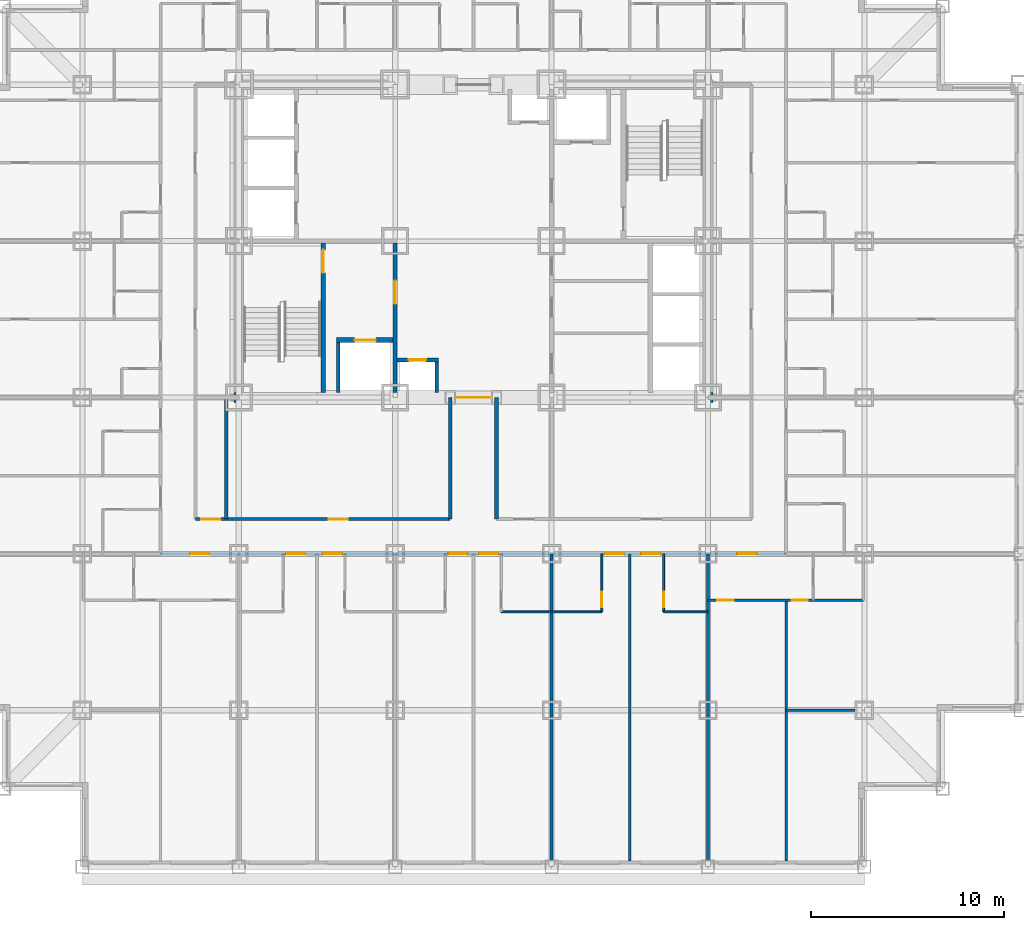
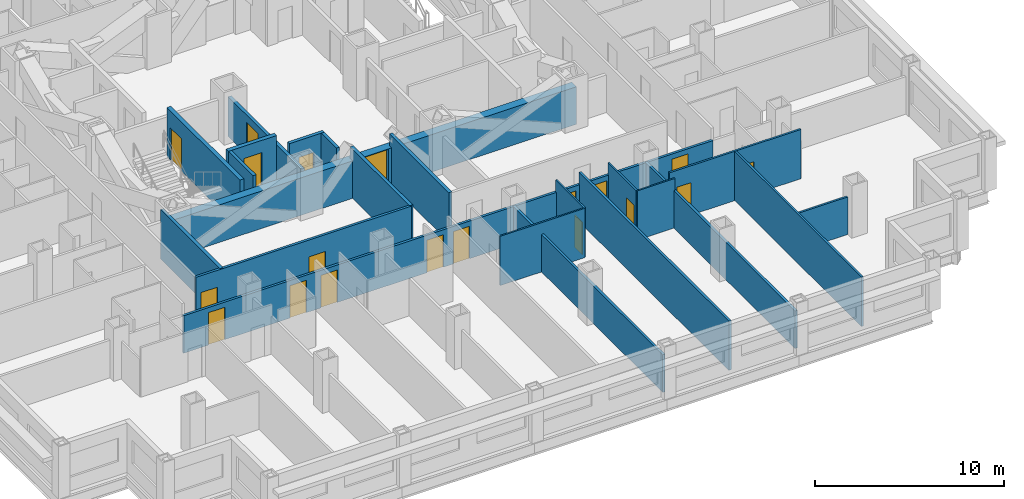
# One storey, part 5 of 11: 22 walls, 19 doors, 19 openings.
"""IFC4 building model written with IfcOpenShell, lengths in metres."""

from ifc_helpers import new_model, si_unit, direction, frame, frame_2d, origin, place, context, subcontext, project, spatial, rectangle, extrude, material, layer, layer_set, type_object, element, fill, save


model = new_model("IFC4")

# Units and contexts
model_context = context("Model", 3, precision=1e-05, world=origin(), true_north=direction((0.0, 1.0)))
body_context = subcontext(model_context, "Body", "Model", "MODEL_VIEW")
ifc_project = project(units=[si_unit("LENGTHUNIT", "METRE"), si_unit("AREAUNIT", "SQUARE_METRE"), si_unit("VOLUMEUNIT", "CUBIC_METRE"), si_unit("PLANEANGLEUNIT", "RADIAN"), si_unit("MASSUNIT", "GRAM", prefix="KILO")], contexts=[model_context])

# Site, building, storey
site_placement = place(None, origin())
site = spatial("IfcSite", under=ifc_project, at=site_placement, CompositionType="ELEMENT")
building_placement = place(site_placement, origin())
building = spatial("IfcBuilding", under=site, at=building_placement, Name="Kopane Lantern Tower", CompositionType="ELEMENT")
storey_placement = place(building_placement, frame((0.0, 0.0, 84.0)))
storey = spatial("IfcBuildingStorey", under=building, at=storey_placement, Name="L21", CompositionType="ELEMENT", Elevation=84.0)

# Wall, openings, doors
ifc_material_1 = material(Name="Gypsum board on steel studs", Category="steel")
ifc_layer_1 = layer(ifc_material_1, 0.1201171875)
ifc_layer_set_1 = layer_set([ifc_layer_1], Name="APARTMENT INTERNAL WALL 120")
wall_type_1 = type_object("IfcWallType", Name="APARTMENT INTERNAL WALL 120", PredefinedType="PARTITIONING", material=ifc_layer_set_1)
wall_1_placement = place(storey_placement, frame((40.5, 13.800048828125, 0.0), z_axis=(0.0, 0.0, 1.0), x_axis=(1.0, 0.0, 0.0)))
wall_1 = element("IfcWall", 1, at=wall_1_placement, inside=storey, type_object=wall_type_1, Name="Apartment Internal Wall 120 L21", PredefinedType="PARTITIONING", context=body_context, shape_type="SweptSolid", body=[
    extrude(rectangle(XDim=8.050048828125, YDim=0.1201171875, at=frame_2d((4.02490234375, 0.0))), origin(), (0.0, 0.0, 1.0), 3.18994140625),
])
opening_1_placement = place(wall_1_placement, frame((0.47509765625, 0.0, 0.0)))
opening_1 = element("IfcOpeningElement", 2, at=opening_1_placement, cuts=wall_1, Name="Opening L21-062", PredefinedType="OPENING", context=body_context, shape_type="SweptSolid", body=[
    extrude(rectangle(XDim=0.85009765625, YDim=2.10009765625, at=frame_2d((0.425048828125, 1.050048828125))), frame((0.0, 0.070068359375, 0.0), z_axis=(0.0, -1.0, 0.0), x_axis=(1.0, 0.0, 0.0)), (0.0, 0.0, 1.0), 0.14013671875),
])
opening_2_placement = place(wall_1_placement, frame((4.324951171875, 0.0, 0.0)))
opening_2 = element("IfcOpeningElement", 3, at=opening_2_placement, cuts=wall_1, Name="Opening L21-064", PredefinedType="OPENING", context=body_context, shape_type="SweptSolid", body=[
    extrude(rectangle(XDim=0.85009765625, YDim=2.10009765625, at=frame_2d((0.425048828125, 1.050048828125))), frame((0.0, 0.070068359375, 0.0), z_axis=(0.0, -1.0, 0.0), x_axis=(1.0, 0.0, 0.0)), (0.0, 0.0, 1.0), 0.14013671875),
])
ifc_material_2 = material(Name="Timber door set", Category="wood")
door_type_1 = type_object("IfcDoorType", Name="DOOR D4 850x2100", OperationType="SINGLE_SWING_LEFT", PredefinedType="DOOR", material=ifc_material_2)
door_1_placement = place(opening_1_placement, origin())
door_1 = element("IfcDoor", 4, at=door_1_placement, inside=storey, type_object=door_type_1, Name="Door L21-062", OperationType="SINGLE_SWING_LEFT", OverallHeight=2.10009765625, OverallWidth=0.85009765625, PredefinedType="DOOR", context=body_context, shape_type="SweptSolid", body=[
    extrude(rectangle(XDim=0.85009765625, YDim=2.10009765625, at=frame_2d((0.425048828125, 1.050048828125))), frame((0.0, 0.02490234375, 0.0), z_axis=(0.0, -1.0, 0.0), x_axis=(1.0, 0.0, 0.0)), (0.0, 0.0, 1.0), 0.050048828125),
])
fill(opening_1, door_1)
door_2_placement = place(opening_2_placement, origin())
door_2 = element("IfcDoor", 5, at=door_2_placement, inside=storey, type_object=door_type_1, Name="Door L21-064", OperationType="SINGLE_SWING_RIGHT", OverallHeight=2.10009765625, OverallWidth=0.85009765625, PredefinedType="DOOR", context=body_context, shape_type="SweptSolid", body=[
    extrude(rectangle(XDim=0.85009765625, YDim=2.10009765625, at=frame_2d((0.425048828125, 1.050048828125))), frame((0.0, 0.02490234375, 0.0), z_axis=(0.0, -1.0, 0.0), x_axis=(1.0, 0.0, 0.0)), (0.0, 0.0, 1.0), 0.050048828125),
])
fill(opening_2, door_2)

# Walls
wall_2_placement = place(storey_placement, frame((44.550048828125, 13.800048828125, 0.0), z_axis=(0.0, 0.0, 1.0), x_axis=(0.0, -1.0, 0.0)))
element("IfcWall", 6, at=wall_2_placement, inside=storey, type_object=wall_type_1, Name="Apartment Internal Wall 120 L21", PredefinedType="PARTITIONING", context=body_context, shape_type="SweptSolid", body=[
    extrude(rectangle(XDim=13.5, YDim=0.1201171875, at=frame_2d((6.75, 0.0))), origin(), (0.0, 0.0, 1.0), 3.18994140625),
])
wall_3_placement = place(storey_placement, frame((44.550048828125, 8.10009765625, 0.0), z_axis=(0.0, 0.0, 1.0), x_axis=(1.0, 0.0, 0.0)))
element("IfcWall", 7, at=wall_3_placement, inside=storey, type_object=wall_type_1, Name="Apartment Internal Wall 120 L21", PredefinedType="PARTITIONING", context=body_context, shape_type="SweptSolid", body=[
    extrude(rectangle(XDim=3.574951171875, YDim=0.1201171875, at=frame_2d((1.78759765625, 0.0))), origin(), (0.0, 0.0, 1.0), 2.427734375),
])
ifc_material_3 = material(Name="Moisture-resistant board on steel studs", Category="steel")
ifc_layer_2 = layer(ifc_material_3, 0.10009765625)
ifc_layer_set_2 = layer_set([ifc_layer_2], Name="BATHROOM WALL 100")
wall_type_2 = type_object("IfcWallType", Name="BATHROOM WALL 100", PredefinedType="PARTITIONING", material=ifc_layer_set_2)
wall_4_placement = place(storey_placement, frame((29.800048828125, 13.199951171875, 0.0), z_axis=(0.0, 0.0, 1.0), x_axis=(1.0, 0.0, 0.0)))
element("IfcWall", 8, at=wall_4_placement, inside=storey, type_object=wall_type_2, Name="Bathroom Wall 100 L21", PredefinedType="PARTITIONING", context=body_context, shape_type="SweptSolid", body=[
    extrude(rectangle(XDim=5.199951171875, YDim=0.10009765625, at=frame_2d((2.60009765625, 0.0))), origin(), (0.0, 0.0, 1.0), 3.18994140625),
])

# Wall, opening, door
wall_5_placement = place(storey_placement, frame((35.0, 16.199951171875, 0.0), z_axis=(0.0, 0.0, 1.0), x_axis=(0.0, -1.0, 0.0)))
wall_5 = element("IfcWall", 9, at=wall_5_placement, inside=storey, type_object=wall_type_2, Name="Bathroom Wall 100 L21", PredefinedType="PARTITIONING", context=body_context, shape_type="SweptSolid", body=[
    extrude(rectangle(XDim=3.0, YDim=0.10009765625, at=frame_2d((1.5, 0.0))), origin(), (0.0, 0.0, 1.0), 3.18994140625),
])
opening_3_placement = place(wall_5_placement, frame((1.949951171875, 0.0, 0.0)))
opening_3 = element("IfcOpeningElement", 10, at=opening_3_placement, cuts=wall_5, Name="Opening L21-017", PredefinedType="OPENING", context=body_context, shape_type="SweptSolid", body=[
    extrude(rectangle(XDim=0.800048828125, YDim=2.10009765625, at=frame_2d((0.39990234375, 1.050048828125))), frame((0.0, 0.06005859375, 0.0), z_axis=(0.0, -1.0, 0.0), x_axis=(1.0, 0.0, 0.0)), (0.0, 0.0, 1.0), 0.1201171875),
])
ifc_material_4 = material(Name="Timber door set", Category="wood")
door_type_2 = type_object("IfcDoorType", Name="DOOR D2 800x2100", OperationType="SINGLE_SWING_LEFT", PredefinedType="DOOR", material=ifc_material_4)
door_3_placement = place(opening_3_placement, origin())
door_3 = element("IfcDoor", 11, at=door_3_placement, inside=storey, type_object=door_type_2, Name="Door L21-017", OperationType="SINGLE_SWING_LEFT", OverallHeight=2.10009765625, OverallWidth=0.800048828125, PredefinedType="DOOR", context=body_context, shape_type="SweptSolid", body=[
    extrude(rectangle(XDim=0.800048828125, YDim=2.10009765625, at=frame_2d((0.39990234375, 1.050048828125))), frame((0.0, 0.02490234375, 0.0), z_axis=(0.0, -1.0, 0.0), x_axis=(1.0, 0.0, 0.0)), (0.0, 0.0, 1.0), 0.050048828125),
])
fill(opening_3, door_3)

# Wall
wall_6_placement = place(storey_placement, frame((38.199951171875, 13.199951171875, 0.0), z_axis=(0.0, 0.0, 1.0), x_axis=(1.0, 0.0, 0.0)))
element("IfcWall", 12, at=wall_6_placement, inside=storey, type_object=wall_type_2, Name="Bathroom Wall 100 L21", PredefinedType="PARTITIONING", context=body_context, shape_type="SweptSolid", body=[
    extrude(rectangle(XDim=2.300048828125, YDim=0.10009765625, at=frame_2d((1.14990234375, 0.0))), origin(), (0.0, 0.0, 1.0), 3.18994140625),
])

# Wall, opening, door
wall_7_placement = place(storey_placement, frame((38.199951171875, 16.199951171875, 0.0), z_axis=(0.0, 0.0, 1.0), x_axis=(0.0, -1.0, 0.0)))
wall_7 = element("IfcWall", 13, at=wall_7_placement, inside=storey, type_object=wall_type_2, Name="Bathroom Wall 100 L21", PredefinedType="PARTITIONING", context=body_context, shape_type="SweptSolid", body=[
    extrude(rectangle(XDim=3.0, YDim=0.10009765625, at=frame_2d((1.5, 0.0))), origin(), (0.0, 0.0, 1.0), 3.18994140625),
])
opening_4_placement = place(wall_7_placement, frame((1.949951171875, 0.0, 0.0)))
opening_4 = element("IfcOpeningElement", 14, at=opening_4_placement, cuts=wall_7, Name="Opening L21-019", PredefinedType="OPENING", context=body_context, shape_type="SweptSolid", body=[
    extrude(rectangle(XDim=0.800048828125, YDim=2.10009765625, at=frame_2d((0.39990234375, 1.050048828125))), frame((0.0, 0.06005859375, 0.0), z_axis=(0.0, -1.0, 0.0), x_axis=(1.0, 0.0, 0.0)), (0.0, 0.0, 1.0), 0.1201171875),
])
door_4_placement = place(opening_4_placement, origin())
door_4 = element("IfcDoor", 15, at=door_4_placement, inside=storey, type_object=door_type_2, Name="Door L21-019", OperationType="SINGLE_SWING_RIGHT", OverallHeight=2.10009765625, OverallWidth=0.800048828125, PredefinedType="DOOR", context=body_context, shape_type="SweptSolid", body=[
    extrude(rectangle(XDim=0.800048828125, YDim=2.10009765625, at=frame_2d((0.39990234375, 1.050048828125))), frame((0.0, 0.02490234375, 0.0), z_axis=(0.0, -1.0, 0.0), x_axis=(1.0, 0.0, 0.0)), (0.0, 0.0, 1.0), 0.050048828125),
])
fill(opening_4, door_4)

ifc_material_5 = material(Name="Gypsum shaft wall EI 120", Category="gypsum")
ifc_layer_3 = layer(ifc_material_5, 0.5)
ifc_layer_set_3 = layer_set([ifc_layer_3], Name="CORE PERIMETER WALL 500 EI 120")
wall_type_3 = type_object("IfcWallType", Name="CORE PERIMETER WALL 500 EI 120", PredefinedType="SOLIDWALL", material=ifc_layer_set_3)
wall_8_placement = place(storey_placement, frame((15.949951171875, 24.300048828125, 0.0), z_axis=(0.0, 0.0, 1.0), x_axis=(1.0, 0.0, 0.0)))
wall_8 = element("IfcWall", 16, at=wall_8_placement, inside=storey, type_object=wall_type_3, Name="Core shaft wall L21 PS", PredefinedType="SOLIDWALL", context=body_context, shape_type="SweptSolid", body=[
    extrude(rectangle(XDim=24.800048828125, YDim=0.5, at=frame_2d((12.39990234375, 0.0))), origin(), (0.0, 0.0, 1.0), 2.427734375),
])
opening_5_placement = place(wall_8_placement, frame((11.5, 0.0, 0.0)))
opening_5 = element("IfcOpeningElement", 17, at=opening_5_placement, cuts=wall_8, Name="Opening 21.CE-S", PredefinedType="OPENING", context=body_context, shape_type="SweptSolid", body=[
    extrude(rectangle(XDim=1.800048828125, YDim=2.39990234375, at=frame_2d((0.89990234375, 1.199951171875))), frame((0.0, 0.260009765625, 0.0), z_axis=(0.0, -1.0, 0.0), x_axis=(1.0, 0.0, 0.0)), (0.0, 0.0, 1.0), 0.52001953125),
])
ifc_material_6 = material(Name="Steel door set", Category="steel")
door_type_3 = type_object("IfcDoorType", Name="CORE ENTRY DOOR 1800x2400 FD60S", OperationType="DOUBLE_DOOR_SINGLE_SWING", PredefinedType="DOOR", material=ifc_material_6)
door_5_placement = place(opening_5_placement, origin())
door_5 = element("IfcDoor", 18, at=door_5_placement, inside=storey, type_object=door_type_3, Name="Core entry door L21 south", OperationType="DOUBLE_DOOR_SINGLE_SWING", OverallHeight=2.39990234375, OverallWidth=1.800048828125, PredefinedType="DOOR", context=body_context, shape_type="SweptSolid", body=[
    extrude(rectangle(XDim=1.800048828125, YDim=2.39990234375, at=frame_2d((0.89990234375, 1.199951171875))), frame((0.0, 0.02490234375, 0.0), z_axis=(0.0, -1.0, 0.0), x_axis=(1.0, 0.0, 0.0)), (0.0, 0.0, 1.0), 0.050048828125),
])
fill(opening_5, door_5)

ifc_material_7 = material(Name="Gypsum shaft wall EI 120", Category="gypsum")
ifc_layer_4 = layer(ifc_material_7, 0.25)
ifc_layer_set_4 = layer_set([ifc_layer_4], Name="CORE SHAFT WALL 250 EI 120")
wall_type_4 = type_object("IfcWallType", Name="CORE SHAFT WALL 250 EI 120", PredefinedType="SOLIDWALL", material=ifc_layer_set_4)
wall_9_placement = place(storey_placement, frame((20.574951171875, 24.550048828125, 0.0), z_axis=(0.0, 0.0, 1.0), x_axis=(0.0, 1.0, 0.0)))
wall_9 = element("IfcWall", 19, at=wall_9_placement, inside=storey, type_object=wall_type_4, Name="Core shaft wall L21 XST1", PredefinedType="SOLIDWALL", context=body_context, shape_type="SweptSolid", body=[
    extrude(rectangle(XDim=7.75, YDim=0.25, at=frame_2d((3.875, 0.0))), origin(), (0.0, 0.0, 1.0), 3.18994140625),
])
opening_6_placement = place(wall_9_placement, frame((6.199951171875, 0.0, 0.0)))
opening_6 = element("IfcOpeningElement", 20, at=opening_6_placement, cuts=wall_9, Name="Opening 21.SD1", PredefinedType="OPENING", context=body_context, shape_type="SweptSolid", body=[
    extrude(rectangle(XDim=1.199951171875, YDim=2.10009765625, at=frame_2d((0.60009765625, 1.050048828125))), frame((0.0, 0.135009765625, 0.0), z_axis=(0.0, -1.0, 0.0), x_axis=(1.0, 0.0, 0.0)), (0.0, 0.0, 1.0), 0.27001953125),
])
ifc_material_8 = material(Name="Steel door set", Category="steel")
door_type_4 = type_object("IfcDoorType", Name="STAIR DOOR 1200x2100 FD60S", OperationType="SINGLE_SWING_LEFT", PredefinedType="DOOR", material=ifc_material_8)
door_6_placement = place(opening_6_placement, origin())
door_6 = element("IfcDoor", 21, at=door_6_placement, inside=storey, type_object=door_type_4, Name="Stair door ST1 L21", OperationType="SINGLE_SWING_LEFT", OverallHeight=2.10009765625, OverallWidth=1.199951171875, PredefinedType="DOOR", context=body_context, shape_type="SweptSolid", body=[
    extrude(rectangle(XDim=1.199951171875, YDim=2.10009765625, at=frame_2d((0.60009765625, 1.050048828125))), frame((0.0, 0.02490234375, 0.0), z_axis=(0.0, -1.0, 0.0), x_axis=(1.0, 0.0, 0.0)), (0.0, 0.0, 1.0), 0.050048828125),
])
fill(opening_6, door_6)

wall_10_placement = place(storey_placement, frame((21.25, 27.27490234375, 0.0), z_axis=(0.0, 0.0, 1.0), x_axis=(1.0, 0.0, 0.0)))
wall_10 = element("IfcWall", 22, at=wall_10_placement, inside=storey, type_object=wall_type_4, Name="Core shaft wall L21 YLF1", PredefinedType="SOLIDWALL", context=body_context, shape_type="SweptSolid", body=[
    extrude(rectangle(XDim=2.949951171875, YDim=0.25, at=frame_2d((1.47509765625, 0.0))), origin(), (0.0, 0.0, 1.0), 3.18994140625),
])
opening_7_placement = place(wall_10_placement, frame((0.949951171875, 0.0, 0.0)))
opening_7 = element("IfcOpeningElement", 23, at=opening_7_placement, cuts=wall_10, Name="Opening 21.LD-LF1", PredefinedType="OPENING", context=body_context, shape_type="SweptSolid", body=[
    extrude(rectangle(XDim=1.10009765625, YDim=2.39990234375, at=frame_2d((0.550048828125, 1.199951171875))), frame((0.0, 0.135009765625, 0.0), z_axis=(0.0, -1.0, 0.0), x_axis=(1.0, 0.0, 0.0)), (0.0, 0.0, 1.0), 0.27001953125),
])
ifc_material_9 = material(Name="Steel door set", Category="steel")
door_type_5 = type_object("IfcDoorType", Name="LIFT LANDING DOOR 1100x2400 FD60", OperationType="DOUBLE_DOOR_SLIDING", PredefinedType="DOOR", material=ifc_material_9)
door_7_placement = place(opening_7_placement, origin())
door_7 = element("IfcDoor", 24, at=door_7_placement, inside=storey, type_object=door_type_5, Name="Landing door LF1 L21", OperationType="DOUBLE_DOOR_SLIDING", OverallHeight=2.39990234375, OverallWidth=1.10009765625, PredefinedType="DOOR", context=body_context, shape_type="SweptSolid", body=[
    extrude(rectangle(XDim=1.10009765625, YDim=2.39990234375, at=frame_2d((0.550048828125, 1.199951171875))), frame((0.0, 0.02490234375, 0.0), z_axis=(0.0, -1.0, 0.0), x_axis=(1.0, 0.0, 0.0)), (0.0, 0.0, 1.0), 0.050048828125),
])
fill(opening_7, door_7)

# Wall, openings, doors
ifc_material_10 = material(Name="Gypsum board on steel studs", Category="steel")
ifc_layer_5 = layer(ifc_material_10, 0.14990234375)
ifc_layer_set_5 = layer_set([ifc_layer_5], Name="CORRIDOR WALL 150 EI 60")
wall_type_5 = type_object("IfcWallType", Name="CORRIDOR WALL 150 EI 60", PredefinedType="PARTITIONING", material=ifc_layer_set_5)
wall_11_placement = place(storey_placement, frame((12.14990234375, 16.199951171875, 0.0), z_axis=(0.0, 0.0, 1.0), x_axis=(1.0, 0.0, 0.0)))
wall_11 = element("IfcWall", 25, at=wall_11_placement, inside=storey, type_object=wall_type_5, Name="Corridor Wall 150 Ei 60 L21", PredefinedType="PARTITIONING", context=body_context, shape_type="SweptSolid", body=[
    extrude(rectangle(XDim=32.400146484375, YDim=0.14990234375, at=frame_2d((16.2001953125, 0.0))), origin(), (0.0, 0.0, 1.0), 2.427734375),
])
opening_8_placement = place(wall_11_placement, frame((6.5, 0.0, 0.0)))
opening_8 = element("IfcOpeningElement", 26, at=opening_8_placement, cuts=wall_11, Name="Opening L21-010", PredefinedType="OPENING", context=body_context, shape_type="SweptSolid", body=[
    extrude(rectangle(XDim=1.0, YDim=2.10009765625, at=frame_2d((0.5, 1.050048828125))), frame((0.0, 0.0849609375, 0.0), z_axis=(0.0, -1.0, 0.0), x_axis=(1.0, 0.0, 0.0)), (0.0, 0.0, 1.0), 0.169921875),
])
opening_9_placement = place(wall_11_placement, frame((8.39990234375, 0.0, 0.0)))
opening_9 = element("IfcOpeningElement", 27, at=opening_9_placement, cuts=wall_11, Name="Opening L21-012", PredefinedType="OPENING", context=body_context, shape_type="SweptSolid", body=[
    extrude(rectangle(XDim=1.0, YDim=2.10009765625, at=frame_2d((0.5, 1.050048828125))), frame((0.0, 0.0849609375, 0.0), z_axis=(0.0, -1.0, 0.0), x_axis=(1.0, 0.0, 0.0)), (0.0, 0.0, 1.0), 0.169921875),
])
opening_10_placement = place(wall_11_placement, frame((14.89990234375, 0.0, 0.0)))
opening_10 = element("IfcOpeningElement", 28, at=opening_10_placement, cuts=wall_11, Name="Opening L21-014", PredefinedType="OPENING", context=body_context, shape_type="SweptSolid", body=[
    extrude(rectangle(XDim=1.0, YDim=2.10009765625, at=frame_2d((0.5, 1.050048828125))), frame((0.0, 0.0849609375, 0.0), z_axis=(0.0, -1.0, 0.0), x_axis=(1.0, 0.0, 0.0)), (0.0, 0.0, 1.0), 0.169921875),
])
opening_11_placement = place(wall_11_placement, frame((16.5, 0.0, 0.0)))
opening_11 = element("IfcOpeningElement", 29, at=opening_11_placement, cuts=wall_11, Name="Opening L21-016", PredefinedType="OPENING", context=body_context, shape_type="SweptSolid", body=[
    extrude(rectangle(XDim=1.0, YDim=2.10009765625, at=frame_2d((0.5, 1.050048828125))), frame((0.0, 0.0849609375, 0.0), z_axis=(0.0, -1.0, 0.0), x_axis=(1.0, 0.0, 0.0)), (0.0, 0.0, 1.0), 0.169921875),
])
opening_12_placement = place(wall_11_placement, frame((23.0, 0.0, 0.0)))
opening_12 = element("IfcOpeningElement", 30, at=opening_12_placement, cuts=wall_11, Name="Opening L21-018", PredefinedType="OPENING", context=body_context, shape_type="SweptSolid", body=[
    extrude(rectangle(XDim=1.0, YDim=2.10009765625, at=frame_2d((0.5, 1.050048828125))), frame((0.0, 0.0849609375, 0.0), z_axis=(0.0, -1.0, 0.0), x_axis=(1.0, 0.0, 0.0)), (0.0, 0.0, 1.0), 0.169921875),
])
opening_13_placement = place(wall_11_placement, frame((24.89990234375, 0.0, 0.0)))
opening_13 = element("IfcOpeningElement", 31, at=opening_13_placement, cuts=wall_11, Name="Opening L21-020", PredefinedType="OPENING", context=body_context, shape_type="SweptSolid", body=[
    extrude(rectangle(XDim=1.0, YDim=2.10009765625, at=frame_2d((0.5, 1.050048828125))), frame((0.0, 0.0849609375, 0.0), z_axis=(0.0, -1.0, 0.0), x_axis=(1.0, 0.0, 0.0)), (0.0, 0.0, 1.0), 0.169921875),
])
opening_14_placement = place(wall_11_placement, frame((1.52490234375, 0.0, 0.0)))
opening_14 = element("IfcOpeningElement", 32, at=opening_14_placement, cuts=wall_11, Name="Opening L21-057", PredefinedType="OPENING", context=body_context, shape_type="SweptSolid", body=[
    extrude(rectangle(XDim=1.0, YDim=2.10009765625, at=frame_2d((0.5, 1.050048828125))), frame((0.0, 0.0849609375, 0.0), z_axis=(0.0, -1.0, 0.0), x_axis=(1.0, 0.0, 0.0)), (0.0, 0.0, 1.0), 0.169921875),
])
opening_15_placement = place(wall_11_placement, frame((29.875, 0.0, 0.0)))
opening_15 = element("IfcOpeningElement", 33, at=opening_15_placement, cuts=wall_11, Name="Opening L21-061", PredefinedType="OPENING", context=body_context, shape_type="SweptSolid", body=[
    extrude(rectangle(XDim=1.0, YDim=2.10009765625, at=frame_2d((0.5, 1.050048828125))), frame((0.0, 0.0849609375, 0.0), z_axis=(0.0, -1.0, 0.0), x_axis=(1.0, 0.0, 0.0)), (0.0, 0.0, 1.0), 0.169921875),
])
ifc_material_11 = material(Name="Steel door set", Category="steel")
door_type_6 = type_object("IfcDoorType", Name="DOOR D1 1000x2100 FD30S", OperationType="SINGLE_SWING_LEFT", PredefinedType="DOOR", material=ifc_material_11)
door_8_placement = place(opening_8_placement, origin())
door_8 = element("IfcDoor", 34, at=door_8_placement, inside=storey, type_object=door_type_6, Name="Door L21-010", OperationType="SINGLE_SWING_RIGHT", OverallHeight=2.10009765625, OverallWidth=1.0, PredefinedType="DOOR", context=body_context, shape_type="SweptSolid", body=[
    extrude(rectangle(XDim=1.0, YDim=2.10009765625, at=frame_2d((0.5, 1.050048828125))), frame((0.0, 0.02490234375, 0.0), z_axis=(0.0, -1.0, 0.0), x_axis=(1.0, 0.0, 0.0)), (0.0, 0.0, 1.0), 0.050048828125),
])
fill(opening_8, door_8)
door_9_placement = place(opening_9_placement, origin())
door_9 = element("IfcDoor", 35, at=door_9_placement, inside=storey, type_object=door_type_6, Name="Door L21-012", OperationType="SINGLE_SWING_LEFT", OverallHeight=2.10009765625, OverallWidth=1.0, PredefinedType="DOOR", context=body_context, shape_type="SweptSolid", body=[
    extrude(rectangle(XDim=1.0, YDim=2.10009765625, at=frame_2d((0.5, 1.050048828125))), frame((0.0, 0.02490234375, 0.0), z_axis=(0.0, -1.0, 0.0), x_axis=(1.0, 0.0, 0.0)), (0.0, 0.0, 1.0), 0.050048828125),
])
fill(opening_9, door_9)
door_10_placement = place(opening_10_placement, origin())
door_10 = element("IfcDoor", 36, at=door_10_placement, inside=storey, type_object=door_type_6, Name="Door L21-014", OperationType="SINGLE_SWING_RIGHT", OverallHeight=2.10009765625, OverallWidth=1.0, PredefinedType="DOOR", context=body_context, shape_type="SweptSolid", body=[
    extrude(rectangle(XDim=1.0, YDim=2.10009765625, at=frame_2d((0.5, 1.050048828125))), frame((0.0, 0.02490234375, 0.0), z_axis=(0.0, -1.0, 0.0), x_axis=(1.0, 0.0, 0.0)), (0.0, 0.0, 1.0), 0.050048828125),
])
fill(opening_10, door_10)
door_11_placement = place(opening_11_placement, origin())
door_11 = element("IfcDoor", 37, at=door_11_placement, inside=storey, type_object=door_type_6, Name="Door L21-016", OperationType="SINGLE_SWING_LEFT", OverallHeight=2.10009765625, OverallWidth=1.0, PredefinedType="DOOR", context=body_context, shape_type="SweptSolid", body=[
    extrude(rectangle(XDim=1.0, YDim=2.10009765625, at=frame_2d((0.5, 1.050048828125))), frame((0.0, 0.02490234375, 0.0), z_axis=(0.0, -1.0, 0.0), x_axis=(1.0, 0.0, 0.0)), (0.0, 0.0, 1.0), 0.050048828125),
])
fill(opening_11, door_11)
door_12_placement = place(opening_12_placement, origin())
door_12 = element("IfcDoor", 38, at=door_12_placement, inside=storey, type_object=door_type_6, Name="Door L21-018", OperationType="SINGLE_SWING_RIGHT", OverallHeight=2.10009765625, OverallWidth=1.0, PredefinedType="DOOR", context=body_context, shape_type="SweptSolid", body=[
    extrude(rectangle(XDim=1.0, YDim=2.10009765625, at=frame_2d((0.5, 1.050048828125))), frame((0.0, 0.02490234375, 0.0), z_axis=(0.0, -1.0, 0.0), x_axis=(1.0, 0.0, 0.0)), (0.0, 0.0, 1.0), 0.050048828125),
])
fill(opening_12, door_12)
door_13_placement = place(opening_13_placement, origin())
door_13 = element("IfcDoor", 39, at=door_13_placement, inside=storey, type_object=door_type_6, Name="Door L21-020", OperationType="SINGLE_SWING_LEFT", OverallHeight=2.10009765625, OverallWidth=1.0, PredefinedType="DOOR", context=body_context, shape_type="SweptSolid", body=[
    extrude(rectangle(XDim=1.0, YDim=2.10009765625, at=frame_2d((0.5, 1.050048828125))), frame((0.0, 0.02490234375, 0.0), z_axis=(0.0, -1.0, 0.0), x_axis=(1.0, 0.0, 0.0)), (0.0, 0.0, 1.0), 0.050048828125),
])
fill(opening_13, door_13)
door_14_placement = place(opening_14_placement, origin())
door_14 = element("IfcDoor", 40, at=door_14_placement, inside=storey, type_object=door_type_6, Name="Door L21-057", OperationType="SINGLE_SWING_LEFT", OverallHeight=2.10009765625, OverallWidth=1.0, PredefinedType="DOOR", context=body_context, shape_type="SweptSolid", body=[
    extrude(rectangle(XDim=1.0, YDim=2.10009765625, at=frame_2d((0.5, 1.050048828125))), frame((0.0, 0.02490234375, 0.0), z_axis=(0.0, -1.0, 0.0), x_axis=(1.0, 0.0, 0.0)), (0.0, 0.0, 1.0), 0.050048828125),
])
fill(opening_14, door_14)
door_15_placement = place(opening_15_placement, origin())
door_15 = element("IfcDoor", 41, at=door_15_placement, inside=storey, type_object=door_type_6, Name="Door L21-061", OperationType="SINGLE_SWING_RIGHT", OverallHeight=2.10009765625, OverallWidth=1.0, PredefinedType="DOOR", context=body_context, shape_type="SweptSolid", body=[
    extrude(rectangle(XDim=1.0, YDim=2.10009765625, at=frame_2d((0.5, 1.050048828125))), frame((0.0, 0.02490234375, 0.0), z_axis=(0.0, -1.0, 0.0), x_axis=(1.0, 0.0, 0.0)), (0.0, 0.0, 1.0), 0.050048828125),
])
fill(opening_15, door_15)

wall_12_placement = place(storey_placement, frame((13.949951171875, 18.0, 0.0), z_axis=(0.0, 0.0, 1.0), x_axis=(1.0, 0.0, 0.0)))
wall_12 = element("IfcWall", 42, at=wall_12_placement, inside=storey, type_object=wall_type_5, Name="Corridor Wall 150 Ei 60 L21", PredefinedType="PARTITIONING", context=body_context, shape_type="SweptSolid", body=[
    extrude(rectangle(XDim=13.18994140625, YDim=0.14990234375, at=frame_2d((6.594970703125, 0.0))), origin(), (0.0, 0.0, 1.0), 3.18994140625),
])
opening_16_placement = place(wall_12_placement, frame((0.300048828125, 0.0, 0.0)))
opening_16 = element("IfcOpeningElement", 43, at=opening_16_placement, cuts=wall_12, Name="Opening L21-005", PredefinedType="OPENING", context=body_context, shape_type="SweptSolid", body=[
    extrude(rectangle(XDim=1.0, YDim=2.10009765625, at=frame_2d((0.5, 1.050048828125))), frame((0.0, 0.0849609375, 0.0), z_axis=(0.0, -1.0, 0.0), x_axis=(1.0, 0.0, 0.0)), (0.0, 0.0, 1.0), 0.169921875),
])
opening_17_placement = place(wall_12_placement, frame((6.89990234375, 0.0, 0.0)))
opening_17 = element("IfcOpeningElement", 44, at=opening_17_placement, cuts=wall_12, Name="Opening L21-006", PredefinedType="OPENING", context=body_context, shape_type="SweptSolid", body=[
    extrude(rectangle(XDim=1.0, YDim=2.10009765625, at=frame_2d((0.5, 1.050048828125))), frame((0.0, 0.0849609375, 0.0), z_axis=(0.0, -1.0, 0.0), x_axis=(1.0, 0.0, 0.0)), (0.0, 0.0, 1.0), 0.169921875),
])
ifc_material_12 = material(Name="Steel door set", Category="steel")
door_type_7 = type_object("IfcDoorType", Name="DOOR D5 1000x2100 FD60", OperationType="SINGLE_SWING_LEFT", PredefinedType="DOOR", material=ifc_material_12)
door_16_placement = place(opening_16_placement, origin())
door_16 = element("IfcDoor", 45, at=door_16_placement, inside=storey, type_object=door_type_7, Name="Door L21-005", OperationType="SINGLE_SWING_LEFT", OverallHeight=2.10009765625, OverallWidth=1.0, PredefinedType="DOOR", context=body_context, shape_type="SweptSolid", body=[
    extrude(rectangle(XDim=1.0, YDim=2.10009765625, at=frame_2d((0.5, 1.050048828125))), frame((0.0, 0.02490234375, 0.0), z_axis=(0.0, -1.0, 0.0), x_axis=(1.0, 0.0, 0.0)), (0.0, 0.0, 1.0), 0.050048828125),
])
fill(opening_16, door_16)
door_17_placement = place(opening_17_placement, origin())
door_17 = element("IfcDoor", 46, at=door_17_placement, inside=storey, type_object=door_type_7, Name="Door L21-006", OperationType="SINGLE_SWING_RIGHT", OverallHeight=2.10009765625, OverallWidth=1.0, PredefinedType="DOOR", context=body_context, shape_type="SweptSolid", body=[
    extrude(rectangle(XDim=1.0, YDim=2.10009765625, at=frame_2d((0.5, 1.050048828125))), frame((0.0, 0.02490234375, 0.0), z_axis=(0.0, -1.0, 0.0), x_axis=(1.0, 0.0, 0.0)), (0.0, 0.0, 1.0), 0.050048828125),
])
fill(opening_17, door_17)

# Walls
ifc_material_13 = material(Name="Gypsum board on steel studs", Category="steel")
ifc_layer_6 = layer(ifc_material_13, 0.14990234375)
ifc_layer_set_6 = layer_set([ifc_layer_6], Name="DEMISING WALL 150 EI 60")
wall_type_6 = type_object("IfcWallType", Name="DEMISING WALL 150 EI 60", PredefinedType="PARTITIONING", material=ifc_layer_set_6)
wall_13_placement = place(storey_placement, frame((32.39990234375, 16.199951171875, 0.0), z_axis=(0.0, 0.0, 1.0), x_axis=(0.0, -1.0, 0.0)))
element("IfcWall", 47, at=wall_13_placement, inside=storey, type_object=wall_type_6, Name="Demising Wall 150 Ei 60 L21", PredefinedType="PARTITIONING", context=body_context, shape_type="SweptSolid", body=[
    extrude(rectangle(XDim=15.89990234375, YDim=0.14990234375, at=frame_2d((7.949951171875, 0.0))), origin(), (0.0, 0.0, 1.0), 2.427734375),
])
wall_14_placement = place(storey_placement, frame((36.449951171875, 16.199951171875, 0.0), z_axis=(0.0, 0.0, 1.0), x_axis=(0.0, -1.0, 0.0)))
element("IfcWall", 48, at=wall_14_placement, inside=storey, type_object=wall_type_6, Name="Demising Wall 150 Ei 60 L21", PredefinedType="PARTITIONING", context=body_context, shape_type="SweptSolid", body=[
    extrude(rectangle(XDim=15.89990234375, YDim=0.14990234375, at=frame_2d((7.949951171875, 0.0))), origin(), (0.0, 0.0, 1.0), 3.18994140625),
])
wall_15_placement = place(storey_placement, frame((40.5, 16.199951171875, 0.0), z_axis=(0.0, 0.0, 1.0), x_axis=(0.0, -1.0, 0.0)))
element("IfcWall", 49, at=wall_15_placement, inside=storey, type_object=wall_type_6, Name="Demising Wall 150 Ei 60 L21", PredefinedType="PARTITIONING", context=body_context, shape_type="SweptSolid", body=[
    extrude(rectangle(XDim=15.89990234375, YDim=0.14990234375, at=frame_2d((7.949951171875, 0.0))), origin(), (0.0, 0.0, 1.0), 2.427734375),
])
ifc_material_14 = material(Name="Concrete masonry", Category="masonry")
ifc_layer_7 = layer(ifc_material_14, 0.199951171875)
ifc_layer_set_7 = layer_set([ifc_layer_7], Name="PLANT ROOM WALL 200 EI 120")
wall_type_7 = type_object("IfcWallType", Name="PLANT ROOM WALL 200 EI 120", PredefinedType="SOLIDWALL", material=ifc_layer_set_7)
for number, where, z_axis, x_axis, name in (
    (50, (15.550048828125, 18.0, 0.0), (0.0, 0.0, 1.0), (0.0, 1.0, 0.0), "Plant Room Wall 200 Ei 120 L21"),
    (51, (27.14990234375, 18.0, 0.0), (0.0, 0.0, 1.0), (0.0, 1.0, 0.0), "Plant Room Wall 200 Ei 120 L21"),
    (52, (29.550048828125, 18.0, 0.0), (0.0, 0.0, 1.0), (0.0, 1.0, 0.0), "Plant Room Wall 200 Ei 120 L21"),
):
    element("IfcWall", number, at=place(storey_placement, frame(where, z_axis=z_axis, x_axis=x_axis)), inside=storey, type_object=wall_type_7, Name=name, PredefinedType="SOLIDWALL", context=body_context, shape_type="SweptSolid", body=[
        extrude(rectangle(XDim=6.300048828125, YDim=0.199951171875, at=frame_2d((3.14990234375, 0.0))), origin(), (0.0, 0.0, 1.0), 3.18994140625),
    ])

# Wall, opening, door
ifc_material_15 = material(Name="Gypsum shaft wall EI 120", Category="gypsum")
ifc_layer_8 = layer(ifc_material_15, 0.199951171875)
ifc_layer_set_8 = layer_set([ifc_layer_8], Name="SHAFT WALL 200 EI 120")
wall_type_8 = type_object("IfcWallType", Name="SHAFT WALL 200 EI 120", PredefinedType="SOLIDWALL", material=ifc_layer_set_8)
wall_16_placement = place(storey_placement, frame((24.300048828125, 24.550048828125, 0.0), z_axis=(0.0, 0.0, 1.0), x_axis=(0.0, 1.0, 0.0)))
wall_16 = element("IfcWall", 53, at=wall_16_placement, inside=storey, type_object=wall_type_8, Name="Core shaft wall L21 X243", PredefinedType="SOLIDWALL", context=body_context, shape_type="SweptSolid", body=[
    extrude(rectangle(XDim=7.75, YDim=0.199951171875, at=frame_2d((3.875, 0.0))), origin(), (0.0, 0.0, 1.0), 2.577880859375),
])
opening_18_placement = place(wall_16_placement, frame((4.60009765625, 0.0, 0.0)))
opening_18 = element("IfcOpeningElement", 54, at=opening_18_placement, cuts=wall_16, Name="Opening 21.FL1", PredefinedType="OPENING", context=body_context, shape_type="SweptSolid", body=[
    extrude(rectangle(XDim=1.199951171875, YDim=2.10009765625, at=frame_2d((0.60009765625, 1.050048828125))), frame((0.0, 0.10986328125, 0.0), z_axis=(0.0, -1.0, 0.0), x_axis=(1.0, 0.0, 0.0)), (0.0, 0.0, 1.0), 0.219970703125),
])
ifc_material_16 = material(Name="Steel door set", Category="steel")
door_type_8 = type_object("IfcDoorType", Name="FIREFIGHTING LOBBY DOOR 1200x2100 FD60S", OperationType="SINGLE_SWING_RIGHT", PredefinedType="DOOR", material=ifc_material_16)
door_18_placement = place(opening_18_placement, origin())
door_18 = element("IfcDoor", 55, at=door_18_placement, inside=storey, type_object=door_type_8, Name="Firefighting lobby door FL1 L21", OperationType="SINGLE_SWING_LEFT", OverallHeight=2.10009765625, OverallWidth=1.199951171875, PredefinedType="DOOR", context=body_context, shape_type="SweptSolid", body=[
    extrude(rectangle(XDim=1.199951171875, YDim=2.10009765625, at=frame_2d((0.60009765625, 1.050048828125))), frame((0.0, 0.02490234375, 0.0), z_axis=(0.0, -1.0, 0.0), x_axis=(1.0, 0.0, 0.0)), (0.0, 0.0, 1.0), 0.050048828125),
])
fill(opening_18, door_18)

# Walls
wall_17_placement = place(storey_placement, frame((21.35009765625, 24.550048828125, 0.0), z_axis=(0.0, 0.0, 1.0), x_axis=(0.0, 1.0, 0.0)))
element("IfcWall", 56, at=wall_17_placement, inside=storey, type_object=wall_type_8, Name="Core shaft wall L21 XLF1", PredefinedType="SOLIDWALL", context=body_context, shape_type="SweptSolid", body=[
    extrude(rectangle(XDim=2.599853515625, YDim=0.199951171875, at=frame_2d((1.2998046875, 0.0))), origin(), (0.0, 0.0, 1.0), 3.18994140625),
])
wall_18_placement = place(storey_placement, frame((26.449951171875, 24.550048828125, 0.0), z_axis=(0.0, 0.0, 1.0), x_axis=(0.0, 1.0, 0.0)))
element("IfcWall", 57, at=wall_18_placement, inside=storey, type_object=wall_type_8, Name="Core shaft wall L21 XRS1", PredefinedType="SOLIDWALL", context=body_context, shape_type="SweptSolid", body=[
    extrude(rectangle(XDim=1.599853515625, YDim=0.199951171875, at=frame_2d((0.7998046875, 0.0))), origin(), (0.0, 0.0, 1.0), 3.18994140625),
])

# Wall, opening, door
wall_19_placement = place(storey_placement, frame((24.39990234375, 26.25, 0.0), z_axis=(0.0, 0.0, 1.0), x_axis=(1.0, 0.0, 0.0)))
wall_19 = element("IfcWall", 58, at=wall_19_placement, inside=storey, type_object=wall_type_8, Name="Core shaft wall L21 YRS1", PredefinedType="SOLIDWALL", context=body_context, shape_type="SweptSolid", body=[
    extrude(rectangle(XDim=2.150146484375, YDim=0.199951171875, at=frame_2d((1.0751953125, 0.0))), origin(), (0.0, 0.0, 1.0), 3.18994140625),
])
opening_19_placement = place(wall_19_placement, frame((0.60009765625, 0.0, 0.0)))
opening_19 = element("IfcOpeningElement", 59, at=opening_19_placement, cuts=wall_19, Name="Opening 21.RS1", PredefinedType="OPENING", context=body_context, shape_type="SweptSolid", body=[
    extrude(rectangle(XDim=0.89990234375, YDim=2.10009765625, at=frame_2d((0.449951171875, 1.050048828125))), frame((0.0, 0.10986328125, 0.0), z_axis=(0.0, -1.0, 0.0), x_axis=(1.0, 0.0, 0.0)), (0.0, 0.0, 1.0), 0.219970703125),
])
ifc_material_17 = material(Name="Steel door set", Category="steel")
door_type_9 = type_object("IfcDoorType", Name="RISER ACCESS DOOR 900x2100 FD60", OperationType="SINGLE_SWING_LEFT", PredefinedType="DOOR", material=ifc_material_17)
door_19_placement = place(opening_19_placement, origin())
door_19 = element("IfcDoor", 60, at=door_19_placement, inside=storey, type_object=door_type_9, Name="Riser access door RS1 L21", OperationType="SINGLE_SWING_LEFT", OverallHeight=2.10009765625, OverallWidth=0.89990234375, PredefinedType="DOOR", context=body_context, shape_type="SweptSolid", body=[
    extrude(rectangle(XDim=0.89990234375, YDim=2.10009765625, at=frame_2d((0.449951171875, 1.050048828125))), frame((0.0, 0.02490234375, 0.0), z_axis=(0.0, -1.0, 0.0), x_axis=(1.0, 0.0, 0.0)), (0.0, 0.0, 1.0), 0.050048828125),
])
fill(opening_19, door_19)

save(model, "model.ifc")
